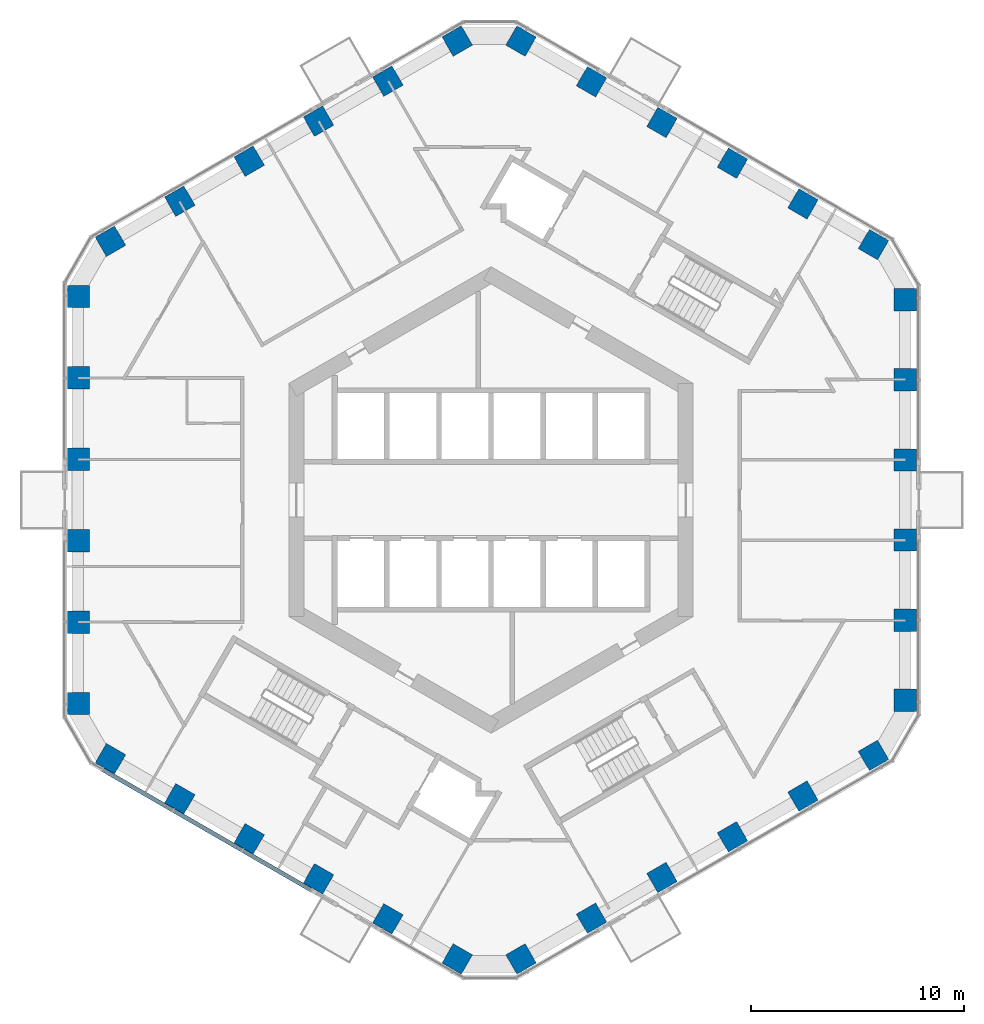
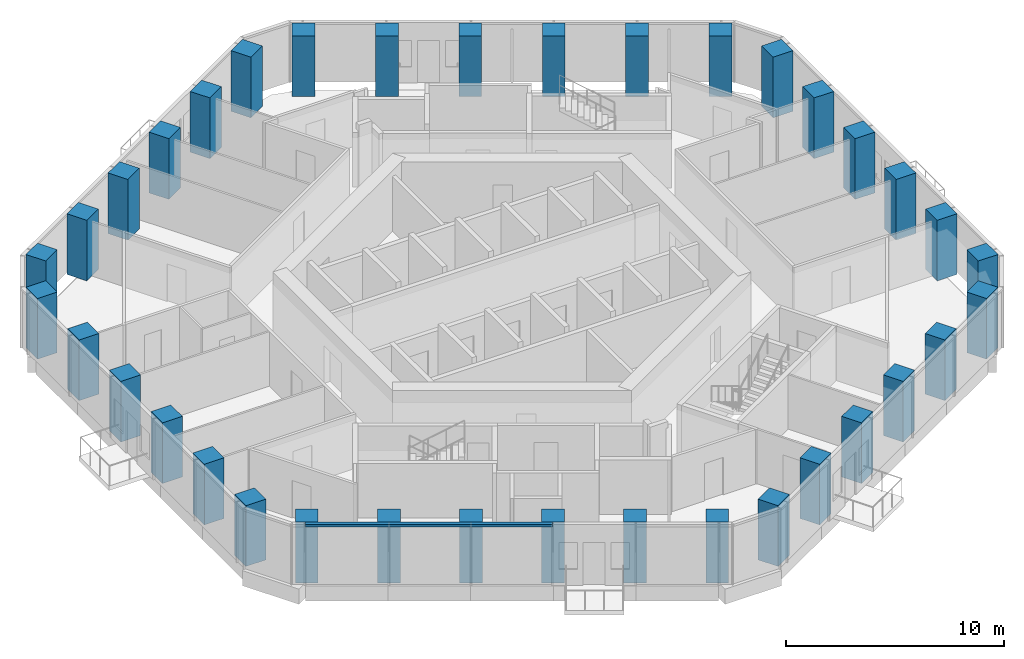
# One storey, part 1 of 20: 36 columns, 1 member, 1 element without a shape of its own.
"""IFC4 building model written with IfcOpenShell, lengths in metres."""

from ifc_helpers import new_model, si_unit, direction, frame, origin, origin_2d, place, context, subcontext, project, spatial, rectangle, extrude, material, layer, layer_set, material_profile, profile_set, type_object, element, aggregate, save


model = new_model("IFC4")

# Units and contexts
model_context = context("Model", 3, precision=1e-05, world=origin(), true_north=direction((0.0, 1.0)))
body_context = subcontext(model_context, "Body", "Model", "MODEL_VIEW")
ifc_project = project(units=[si_unit("LENGTHUNIT", "METRE"), si_unit("AREAUNIT", "SQUARE_METRE"), si_unit("VOLUMEUNIT", "CUBIC_METRE"), si_unit("PLANEANGLEUNIT", "RADIAN"), si_unit("MASSUNIT", "GRAM", prefix="KILO")], contexts=[model_context])

# Site, building, storey
site_placement = place(None, origin())
site = spatial("IfcSite", under=ifc_project, at=site_placement, CompositionType="ELEMENT")
building_placement = place(site_placement, origin())
building = spatial("IfcBuilding", under=site, at=building_placement, Name="Ayvan Gate Tower", CompositionType="ELEMENT")
storey_placement = place(building_placement, frame((0.0, 0.0, 86.5)))
storey = spatial("IfcBuildingStorey", under=building, at=storey_placement, Name="L22", CompositionType="ELEMENT", Elevation=86.5)

# Columns
ifc_material_1 = material(Name="Concrete C60/75", Category="concrete")
ifc_material_profile_1 = material_profile(ifc_material_1, rectangle(XDim=1.050048828125, YDim=1.050048828125, at=origin_2d()), Name="RC 1050x1050")
ifc_profile_set_1 = profile_set([ifc_material_profile_1], Name="Concrete C60/75")
column_type = type_object("IfcColumnType", Name="Tube column RC 1050x1050 C60/75", PredefinedType="COLUMN", material=ifc_profile_set_1)
for number, where, z_axis, x_axis, name in (
    (1, (19.485595703125, -9.4150390625, 0.0), (0.0, 0.0, 1.0), (1.0, 0.0, 0.0), "C-T0-0-L22"),
    (2, (19.485595703125, -5.649169921875, 0.0), (0.0, 0.0, 1.0), (1.0, 0.0, 0.0), "C-T0-1-L22"),
    (3, (19.485595703125, -1.883056640625, 0.0), (0.0, 0.0, 1.0), (1.0, 0.0, 0.0), "C-T0-2-L22"),
    (4, (19.485595703125, 1.883056640625, 0.0), (0.0, 0.0, 1.0), (1.0, 0.0, 0.0), "C-T0-3-L22"),
    (5, (19.485595703125, 5.649169921875, 0.0), (0.0, 0.0, 1.0), (1.0, 0.0, 0.0), "C-T0-4-L22"),
    (6, (19.485595703125, 9.4150390625, 0.0), (0.0, 0.0, 1.0), (1.0, 0.0, 0.0), "C-T0-5-L22"),
    (7, (17.985595703125, 12.01318359375, 0.0), (0.0, 0.0, 1.0), (0.5, 0.866025403784, 0.0), "C-T1-0-L22"),
    (8, (14.670654296875, 13.927001953125, 0.0), (0.0, 0.0, 1.0), (0.5, 0.866025403784, 0.0), "C-T1-1-L22"),
    (9, (11.355712890625, 15.841064453125, 0.0), (0.0, 0.0, 1.0), (0.5, 0.866025403784, 0.0), "C-T1-2-L22"),
    (10, (8.040771484375, 17.7548828125, 0.0), (0.0, 0.0, 1.0), (0.5, 0.866025403784, 0.0), "C-T1-3-L22"),
    (11, (4.725830078125, 19.668701171875, 0.0), (0.0, 0.0, 1.0), (0.5, 0.866025403784, 0.0), "C-T1-4-L22"),
    (12, (1.410888671875, 21.58251953125, 0.0), (0.0, 0.0, 1.0), (0.5, 0.866025403784, 0.0), "C-T1-5-L22"),
    (13, (-1.589111328125, 21.58251953125, 0.0), (0.0, 0.0, 1.0), (-0.5, 0.866025403784, 0.0), "C-T2-0-L22"),
    (14, (-4.8505859375, 19.699462890625, 0.0), (0.0, 0.0, 1.0), (-0.5, 0.866025403784, 0.0), "C-T2-1-L22"),
    (15, (-8.112060546875, 17.81640625, 0.0), (0.0, 0.0, 1.0), (-0.5, 0.866025403784, 0.0), "C-T2-2-L22"),
    (16, (-11.37353515625, 15.93359375, 0.0), (0.0, 0.0, 1.0), (-0.5, 0.866025403784, 0.0), "C-T2-3-L22"),
    (17, (-14.635009765625, 14.050537109375, 0.0), (0.0, 0.0, 1.0), (-0.5, 0.866025403784, 0.0), "C-T2-4-L22"),
    (18, (-17.896484375, 12.16748046875, 0.0), (0.0, 0.0, 1.0), (-0.5, 0.866025403784, 0.0), "C-T2-5-L22"),
    (19, (-19.396484375, 9.5693359375, 0.0), (0.0, 0.0, 1.0), (-1.0, 0.0, 0.0), "C-T3-0-L22"),
    (20, (-19.396484375, 5.74169921875, 0.0), (0.0, 0.0, 1.0), (-1.0, 0.0, 0.0), "C-T3-1-L22"),
    (21, (-19.396484375, 1.913818359375, 0.0), (0.0, 0.0, 1.0), (-1.0, 0.0, 0.0), "C-T3-2-L22"),
    (22, (-19.396484375, -1.913818359375, 0.0), (0.0, 0.0, 1.0), (-1.0, 0.0, 0.0), "C-T3-3-L22"),
    (23, (-19.396484375, -5.74169921875, 0.0), (0.0, 0.0, 1.0), (-1.0, 0.0, 0.0), "C-T3-4-L22"),
    (24, (-19.396484375, -9.5693359375, 0.0), (0.0, 0.0, 1.0), (-1.0, 0.0, 0.0), "C-T3-5-L22"),
    (25, (-17.896484375, -12.16748046875, 0.0), (0.0, 0.0, 1.0), (-0.5, -0.866025403784, 0.0), "C-T4-0-L22"),
    (26, (-14.635009765625, -14.050537109375, 0.0), (0.0, 0.0, 1.0), (-0.5, -0.866025403784, 0.0), "C-T4-1-L22"),
    (27, (-11.37353515625, -15.93359375, 0.0), (0.0, 0.0, 1.0), (-0.5, -0.866025403784, 0.0), "C-T4-2-L22"),
    (28, (-8.112060546875, -17.81640625, 0.0), (0.0, 0.0, 1.0), (-0.5, -0.866025403784, 0.0), "C-T4-3-L22"),
    (29, (-4.8505859375, -19.699462890625, 0.0), (0.0, 0.0, 1.0), (-0.5, -0.866025403784, 0.0), "C-T4-4-L22"),
    (30, (-1.589111328125, -21.58251953125, 0.0), (0.0, 0.0, 1.0), (-0.5, -0.866025403784, 0.0), "C-T4-5-L22"),
    (31, (1.410888671875, -21.58251953125, 0.0), (0.0, 0.0, 1.0), (0.5, -0.866025403784, 0.0), "C-T5-0-L22"),
    (32, (4.725830078125, -19.668701171875, 0.0), (0.0, 0.0, 1.0), (0.5, -0.866025403784, 0.0), "C-T5-1-L22"),
    (33, (8.040771484375, -17.7548828125, 0.0), (0.0, 0.0, 1.0), (0.5, -0.866025403784, 0.0), "C-T5-2-L22"),
    (34, (11.355712890625, -15.841064453125, 0.0), (0.0, 0.0, 1.0), (0.5, -0.866025403784, 0.0), "C-T5-3-L22"),
    (35, (14.670654296875, -13.927001953125, 0.0), (0.0, 0.0, 1.0), (0.5, -0.866025403784, 0.0), "C-T5-4-L22"),
    (36, (17.985595703125, -12.01318359375, 0.0), (0.0, 0.0, 1.0), (0.5, -0.866025403784, 0.0), "C-T5-5-L22"),
):
    element("IfcColumn", number, at=place(storey_placement, frame(where, z_axis=z_axis, x_axis=x_axis)), inside=storey, type_object=column_type, Name=name, PredefinedType="COLUMN", context=body_context, shape_type="SweptSolid", body=[
        extrude(rectangle(XDim=1.050048828125, YDim=1.050048828125, at=origin_2d()), origin(), (0.0, 0.0, 1.0), 3.39990234375),
    ])

# Curtain wall, member
ifc_material_2 = material(Name="Bronze anodised aluminium", Category="aluminium")
ifc_layer = layer(ifc_material_2, 0.199951171875)
ifc_layer_set = layer_set([ifc_layer], Name="Bronze anodised aluminium")
curtain_wall_type = type_object("IfcCurtainWallType", Name="Stick curtain wall CW-1", PredefinedType="NOTDEFINED", material=ifc_layer_set)
curtain_wall_placement = place(storey_placement, origin())
curtain_wall = element("IfcCurtainWall", 37, at=curtain_wall_placement, inside=storey, type_object=curtain_wall_type, Name="Stick curtain wall CW-1 L22", PredefinedType="NOTDEFINED")
ifc_material_profile_2 = material_profile(ifc_material_2, rectangle(XDim=0.199951171875, YDim=0.1201171875, at=origin_2d()), Name="Stick curtain wall CW-1 transom 200 x 120")
ifc_profile_set_2 = profile_set([ifc_material_profile_2], Name="Bronze anodised aluminium")
member_type = type_object("IfcMemberType", Name="Stick curtain wall CW-1 transom 200 x 120", PredefinedType="USERDEFINED", material=ifc_profile_set_2)
member_placement = place(storey_placement, frame((-18.283935546875, -12.66552734375, 3.340087890625), z_axis=(0.866026255587, -0.499998524632, 0.0), x_axis=(0.499998524632, 0.866026255587, 0.0)))
member = element("IfcMember", 38, at=member_placement, type_object=member_type, Name="CW-1 transom 1", ObjectType="TRANSOM", PredefinedType="USERDEFINED", context=body_context, shape_type="SweptSolid", body=[
    extrude(rectangle(XDim=0.199951171875, YDim=0.1201171875, at=origin_2d()), origin(), (0.0, 0.0, 1.0), 11.35498046875),
])
aggregate(curtain_wall, [member])

save(model, "model.ifc")
